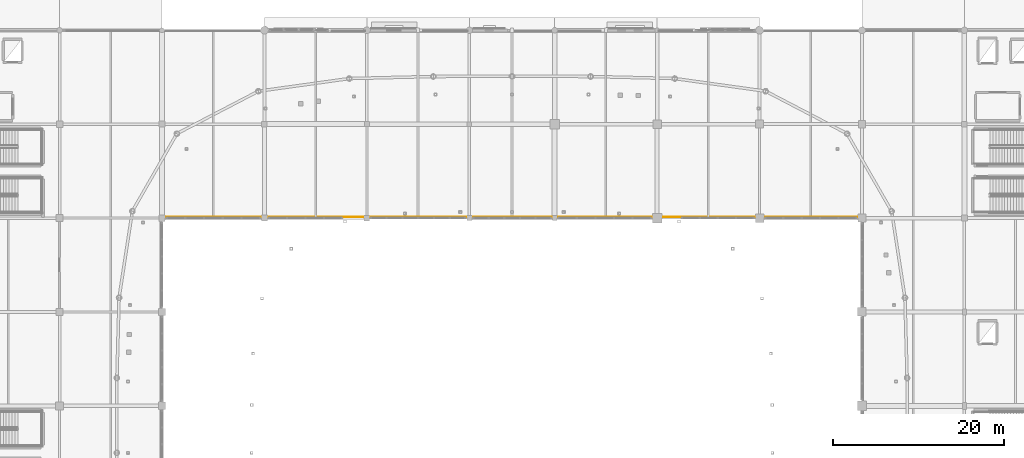
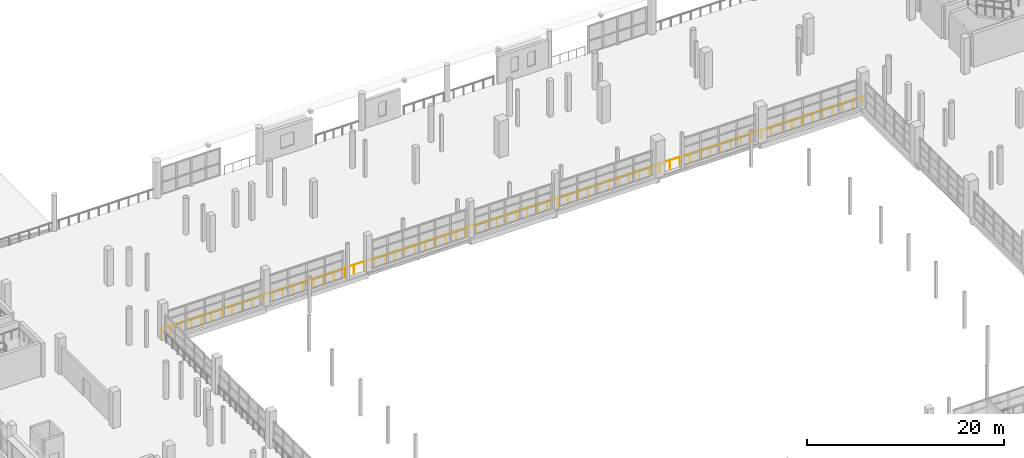
# One storey, part 107 of 118: 1 railing.
"""IFC4 building model written with IfcOpenShell, lengths in metres."""

from ifc_helpers import new_model, si_unit, direction, frame, origin, origin_2d, place, context, subcontext, project, spatial, circle, extrude, material, type_object, element, save


model = new_model("IFC4")

# Units and contexts
model_context = context("Model", 3, precision=1e-05, world=origin(), true_north=direction((0.0, 1.0)))
body_context = subcontext(model_context, "Body", "Model", "MODEL_VIEW")
ifc_project = project(units=[si_unit("LENGTHUNIT", "METRE"), si_unit("AREAUNIT", "SQUARE_METRE"), si_unit("VOLUMEUNIT", "CUBIC_METRE"), si_unit("PLANEANGLEUNIT", "RADIAN"), si_unit("MASSUNIT", "GRAM", prefix="KILO")], contexts=[model_context])

# Site, building, storey
site_placement = place(None, origin())
site = spatial("IfcSite", under=ifc_project, at=site_placement, CompositionType="ELEMENT")
building_placement = place(site_placement, origin())
building = spatial("IfcBuilding", under=site, at=building_placement, Name="Luwafu Chhajja Arena", CompositionType="ELEMENT")
storey_placement = place(building_placement, frame((0.0, 0.0, 10.199951171875)))
storey = spatial("IfcBuildingStorey", under=building, at=storey_placement, Name="L02", CompositionType="ELEMENT", Elevation=10.199951171875)

# Railing
ifc_material = material(Name="Stainless steel balustrade", Category="steel")
railing_type = type_object("IfcRailingType", Name="Seating Bowl Sightline Barrier 1100", PredefinedType="BALUSTRADE", material=ifc_material)
railing_placement = place(storey_placement, frame((140.14990234375, 77.14990234375, 0.0)))
element("IfcRailing", 1, at=railing_placement, inside=storey, type_object=railing_type, Name="L02 Bowl Rim Guard 0034", PredefinedType="BALUSTRADE", context=body_context, shape_type="SweptSolid", body=[
    extrude(circle(Radius=0.02392578125, at=origin_2d()), frame((0.0, 0.0, 1.09619140625), z_axis=(-1.0, 0.0, 0.0), x_axis=(0.0, -1.0, 0.0)), (0.0, 0.0, 1.0), 82.2998046875),
    extrude(circle(Radius=0.02099609375, at=origin_2d()), origin(), (0.0, 0.0, 1.0), 1.072021484375),
    extrude(circle(Radius=0.02099609375, at=origin_2d()), frame((-1.19287109375, 0.0, 0.0)), (0.0, 0.0, 1.0), 1.072021484375),
    extrude(circle(Radius=0.02099609375, at=origin_2d()), frame((-2.385498046875, 0.0, 0.0)), (0.0, 0.0, 1.0), 1.072021484375),
    extrude(circle(Radius=0.02099609375, at=origin_2d()), frame((-3.578369140625, 0.0, 0.0)), (0.0, 0.0, 1.0), 1.072021484375),
    extrude(circle(Radius=0.02099609375, at=origin_2d()), frame((-4.77099609375, 0.0, 0.0)), (0.0, 0.0, 1.0), 1.072021484375),
    extrude(circle(Radius=0.02099609375, at=origin_2d()), frame((-5.9638671875, 0.0, 0.0)), (0.0, 0.0, 1.0), 1.072021484375),
    extrude(circle(Radius=0.02099609375, at=origin_2d()), frame((-7.156494140625, 0.0, 0.0)), (0.0, 0.0, 1.0), 1.072021484375),
    extrude(circle(Radius=0.02099609375, at=origin_2d()), frame((-8.349365234375, 0.0, 0.0)), (0.0, 0.0, 1.0), 1.072021484375),
    extrude(circle(Radius=0.02099609375, at=origin_2d()), frame((-9.5419921875, 0.0, 0.0)), (0.0, 0.0, 1.0), 1.072021484375),
    extrude(circle(Radius=0.02099609375, at=origin_2d()), frame((-10.73486328125, 0.0, 0.0)), (0.0, 0.0, 1.0), 1.072021484375),
    extrude(circle(Radius=0.02099609375, at=origin_2d()), frame((-11.927490234375, 0.0, 0.0)), (0.0, 0.0, 1.0), 1.072021484375),
    extrude(circle(Radius=0.02099609375, at=origin_2d()), frame((-13.120361328125, 0.0, 0.0)), (0.0, 0.0, 1.0), 1.072021484375),
    extrude(circle(Radius=0.02099609375, at=origin_2d()), frame((-14.31298828125, 0.0, 0.0)), (0.0, 0.0, 1.0), 1.072021484375),
    extrude(circle(Radius=0.02099609375, at=origin_2d()), frame((-15.505859375, 0.0, 0.0)), (0.0, 0.0, 1.0), 1.072021484375),
    extrude(circle(Radius=0.02099609375, at=origin_2d()), frame((-16.698486328125, 0.0, 0.0)), (0.0, 0.0, 1.0), 1.072021484375),
    extrude(circle(Radius=0.02099609375, at=origin_2d()), frame((-17.891357421875, 0.0, 0.0)), (0.0, 0.0, 1.0), 1.072021484375),
    extrude(circle(Radius=0.02099609375, at=origin_2d()), frame((-19.083984375, 0.0, 0.0)), (0.0, 0.0, 1.0), 1.072021484375),
    extrude(circle(Radius=0.02099609375, at=origin_2d()), frame((-20.27685546875, 0.0, 0.0)), (0.0, 0.0, 1.0), 1.072021484375),
    extrude(circle(Radius=0.02099609375, at=origin_2d()), frame((-21.469482421875, 0.0, 0.0)), (0.0, 0.0, 1.0), 1.072021484375),
    extrude(circle(Radius=0.02099609375, at=origin_2d()), frame((-22.662353515625, 0.0, 0.0)), (0.0, 0.0, 1.0), 1.072021484375),
    extrude(circle(Radius=0.02099609375, at=origin_2d()), frame((-23.85498046875, 0.0, 0.0)), (0.0, 0.0, 1.0), 1.072021484375),
    extrude(circle(Radius=0.02099609375, at=origin_2d()), frame((-25.0478515625, 0.0, 0.0)), (0.0, 0.0, 1.0), 1.072021484375),
    extrude(circle(Radius=0.02099609375, at=origin_2d()), frame((-26.240478515625, 0.0, 0.0)), (0.0, 0.0, 1.0), 1.072021484375),
    extrude(circle(Radius=0.02099609375, at=origin_2d()), frame((-27.433349609375, 0.0, 0.0)), (0.0, 0.0, 1.0), 1.072021484375),
    extrude(circle(Radius=0.02099609375, at=origin_2d()), frame((-28.6259765625, 0.0, 0.0)), (0.0, 0.0, 1.0), 1.072021484375),
    extrude(circle(Radius=0.02099609375, at=origin_2d()), frame((-29.81884765625, 0.0, 0.0)), (0.0, 0.0, 1.0), 1.072021484375),
    extrude(circle(Radius=0.02099609375, at=origin_2d()), frame((-31.011474609375, 0.0, 0.0)), (0.0, 0.0, 1.0), 1.072021484375),
    extrude(circle(Radius=0.02099609375, at=origin_2d()), frame((-32.204345703125, 0.0, 0.0)), (0.0, 0.0, 1.0), 1.072021484375),
    extrude(circle(Radius=0.02099609375, at=origin_2d()), frame((-33.39697265625, 0.0, 0.0)), (0.0, 0.0, 1.0), 1.072021484375),
    extrude(circle(Radius=0.02099609375, at=origin_2d()), frame((-34.58984375, 0.0, 0.0)), (0.0, 0.0, 1.0), 1.072021484375),
    extrude(circle(Radius=0.02099609375, at=origin_2d()), frame((-35.782470703125, 0.0, 0.0)), (0.0, 0.0, 1.0), 1.072021484375),
    extrude(circle(Radius=0.02099609375, at=origin_2d()), frame((-36.975341796875, 0.0, 0.0)), (0.0, 0.0, 1.0), 1.072021484375),
    extrude(circle(Radius=0.02099609375, at=origin_2d()), frame((-38.16796875, 0.0, 0.0)), (0.0, 0.0, 1.0), 1.072021484375),
    extrude(circle(Radius=0.02099609375, at=origin_2d()), frame((-39.36083984375, 0.0, 0.0)), (0.0, 0.0, 1.0), 1.072021484375),
    extrude(circle(Radius=0.02099609375, at=origin_2d()), frame((-40.553466796875, 0.0, 0.0)), (0.0, 0.0, 1.0), 1.072021484375),
    extrude(circle(Radius=0.02099609375, at=origin_2d()), frame((-41.746337890625, 0.0, 0.0)), (0.0, 0.0, 1.0), 1.072021484375),
    extrude(circle(Radius=0.02099609375, at=origin_2d()), frame((-42.93896484375, 0.0, 0.0)), (0.0, 0.0, 1.0), 1.072021484375),
    extrude(circle(Radius=0.02099609375, at=origin_2d()), frame((-44.1318359375, 0.0, 0.0)), (0.0, 0.0, 1.0), 1.072021484375),
    extrude(circle(Radius=0.02099609375, at=origin_2d()), frame((-45.324462890625, 0.0, 0.0)), (0.0, 0.0, 1.0), 1.072021484375),
    extrude(circle(Radius=0.02099609375, at=origin_2d()), frame((-46.517333984375, 0.0, 0.0)), (0.0, 0.0, 1.0), 1.072021484375),
    extrude(circle(Radius=0.02099609375, at=origin_2d()), frame((-47.7099609375, 0.0, 0.0)), (0.0, 0.0, 1.0), 1.072021484375),
    extrude(circle(Radius=0.02099609375, at=origin_2d()), frame((-48.90283203125, 0.0, 0.0)), (0.0, 0.0, 1.0), 1.072021484375),
    extrude(circle(Radius=0.02099609375, at=origin_2d()), frame((-50.095458984375, 0.0, 0.0)), (0.0, 0.0, 1.0), 1.072021484375),
    extrude(circle(Radius=0.02099609375, at=origin_2d()), frame((-51.288330078125, 0.0, 0.0)), (0.0, 0.0, 1.0), 1.072021484375),
    extrude(circle(Radius=0.02099609375, at=origin_2d()), frame((-52.48095703125, 0.0, 0.0)), (0.0, 0.0, 1.0), 1.072021484375),
    extrude(circle(Radius=0.02099609375, at=origin_2d()), frame((-53.673828125, 0.0, 0.0)), (0.0, 0.0, 1.0), 1.072021484375),
    extrude(circle(Radius=0.02099609375, at=origin_2d()), frame((-54.866455078125, 0.0, 0.0)), (0.0, 0.0, 1.0), 1.072021484375),
    extrude(circle(Radius=0.02099609375, at=origin_2d()), frame((-56.059326171875, 0.0, 0.0)), (0.0, 0.0, 1.0), 1.072021484375),
    extrude(circle(Radius=0.02099609375, at=origin_2d()), frame((-57.251953125, 0.0, 0.0)), (0.0, 0.0, 1.0), 1.072021484375),
    extrude(circle(Radius=0.02099609375, at=origin_2d()), frame((-58.44482421875, 0.0, 0.0)), (0.0, 0.0, 1.0), 1.072021484375),
    extrude(circle(Radius=0.02099609375, at=origin_2d()), frame((-59.637451171875, 0.0, 0.0)), (0.0, 0.0, 1.0), 1.072021484375),
    extrude(circle(Radius=0.02099609375, at=origin_2d()), frame((-60.830322265625, 0.0, 0.0)), (0.0, 0.0, 1.0), 1.072021484375),
    extrude(circle(Radius=0.02099609375, at=origin_2d()), frame((-62.02294921875, 0.0, 0.0)), (0.0, 0.0, 1.0), 1.072021484375),
    extrude(circle(Radius=0.02099609375, at=origin_2d()), frame((-63.2158203125, 0.0, 0.0)), (0.0, 0.0, 1.0), 1.072021484375),
    extrude(circle(Radius=0.02099609375, at=origin_2d()), frame((-64.408447265625, 0.0, 0.0)), (0.0, 0.0, 1.0), 1.072021484375),
    extrude(circle(Radius=0.02099609375, at=origin_2d()), frame((-65.601318359375, 0.0, 0.0)), (0.0, 0.0, 1.0), 1.072021484375),
    extrude(circle(Radius=0.02099609375, at=origin_2d()), frame((-66.7939453125, 0.0, 0.0)), (0.0, 0.0, 1.0), 1.072021484375),
    extrude(circle(Radius=0.02099609375, at=origin_2d()), frame((-67.98681640625, 0.0, 0.0)), (0.0, 0.0, 1.0), 1.072021484375),
    extrude(circle(Radius=0.02099609375, at=origin_2d()), frame((-69.179443359375, 0.0, 0.0)), (0.0, 0.0, 1.0), 1.072021484375),
    extrude(circle(Radius=0.02099609375, at=origin_2d()), frame((-70.372314453125, 0.0, 0.0)), (0.0, 0.0, 1.0), 1.072021484375),
    extrude(circle(Radius=0.02099609375, at=origin_2d()), frame((-71.56494140625, 0.0, 0.0)), (0.0, 0.0, 1.0), 1.072021484375),
    extrude(circle(Radius=0.02099609375, at=origin_2d()), frame((-72.7578125, 0.0, 0.0)), (0.0, 0.0, 1.0), 1.072021484375),
    extrude(circle(Radius=0.02099609375, at=origin_2d()), frame((-73.950439453125, 0.0, 0.0)), (0.0, 0.0, 1.0), 1.072021484375),
    extrude(circle(Radius=0.02099609375, at=origin_2d()), frame((-75.143310546875, 0.0, 0.0)), (0.0, 0.0, 1.0), 1.072021484375),
    extrude(circle(Radius=0.02099609375, at=origin_2d()), frame((-76.3359375, 0.0, 0.0)), (0.0, 0.0, 1.0), 1.072021484375),
    extrude(circle(Radius=0.02099609375, at=origin_2d()), frame((-77.52880859375, 0.0, 0.0)), (0.0, 0.0, 1.0), 1.072021484375),
    extrude(circle(Radius=0.02099609375, at=origin_2d()), frame((-78.721435546875, 0.0, 0.0)), (0.0, 0.0, 1.0), 1.072021484375),
    extrude(circle(Radius=0.02099609375, at=origin_2d()), frame((-79.914306640625, 0.0, 0.0)), (0.0, 0.0, 1.0), 1.072021484375),
    extrude(circle(Radius=0.02099609375, at=origin_2d()), frame((-81.10693359375, 0.0, 0.0)), (0.0, 0.0, 1.0), 1.072021484375),
    extrude(circle(Radius=0.02099609375, at=origin_2d()), frame((-82.2998046875, 0.0, 0.0)), (0.0, 0.0, 1.0), 1.072021484375),
])

save(model, "model.ifc")
